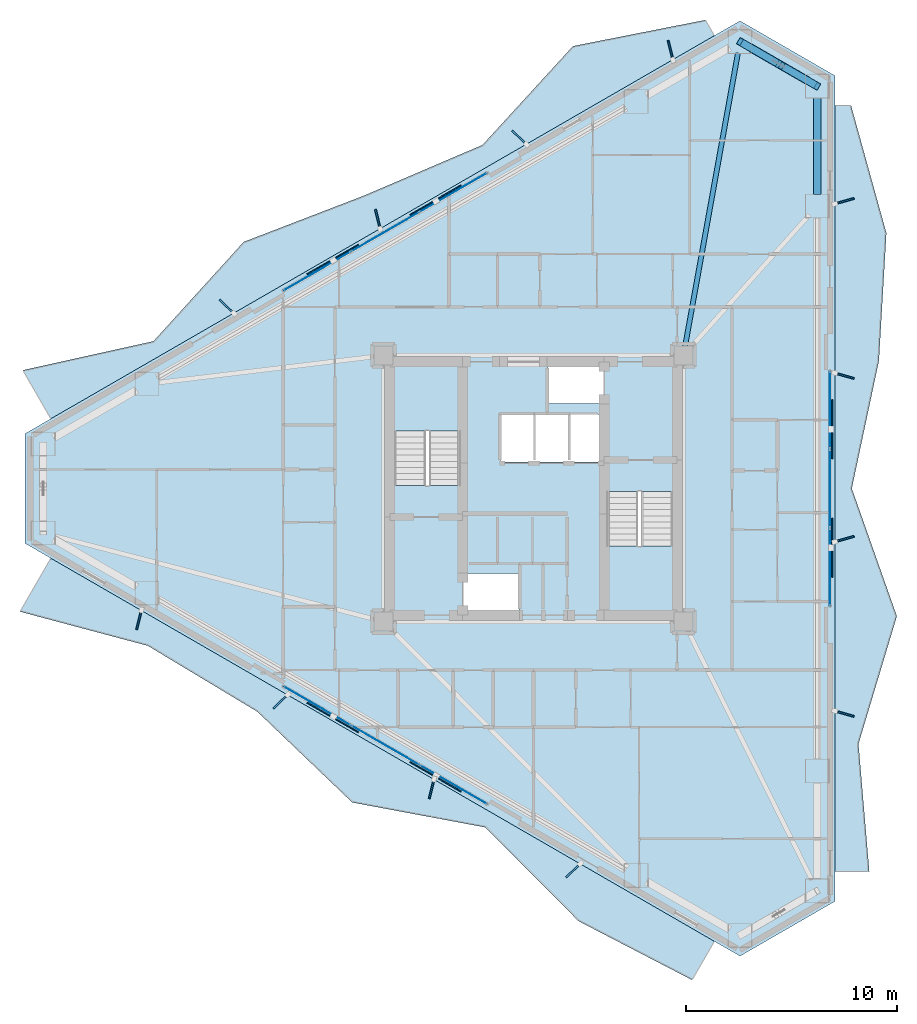
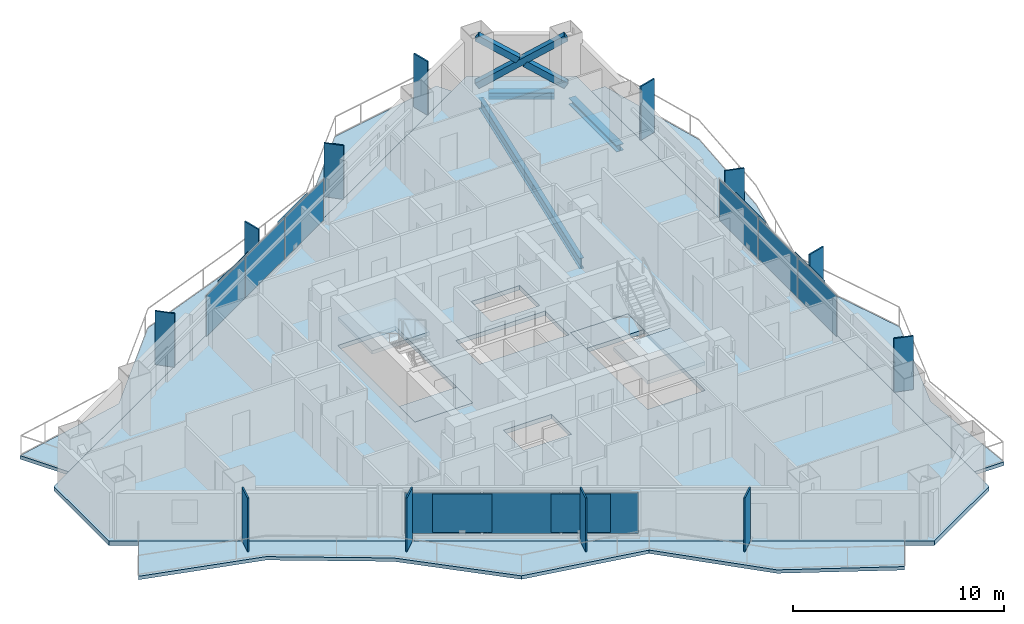
# One storey, part 14 of 23: 27 plates, 8 slabs, 3 beams, 3 members, 5 elements without a shape of their own.
"""IFC4 building model written with IfcOpenShell, lengths in metres."""

from ifc_helpers import new_model, si_unit, direction, frame, origin, origin_2d, place, context, subcontext, project, spatial, polyline, rectangle, hollow_rectangle, i_section, outline, extrude, material, layer, layer_set, material_profile, profile_set, type_object, element, aggregate, save


model = new_model("IFC4")

# Units and contexts
model_context = context("Model", 3, precision=1e-05, world=origin(), true_north=direction((0.0, 1.0)))
body_context = subcontext(model_context, "Body", "Model", "MODEL_VIEW")
ifc_project = project(units=[si_unit("LENGTHUNIT", "METRE"), si_unit("AREAUNIT", "SQUARE_METRE"), si_unit("VOLUMEUNIT", "CUBIC_METRE"), si_unit("PLANEANGLEUNIT", "RADIAN"), si_unit("MASSUNIT", "GRAM", prefix="KILO")], contexts=[model_context])

# Site, building, storey
site_placement = place(None, origin())
site = spatial("IfcSite", under=ifc_project, at=site_placement, CompositionType="ELEMENT")
building_placement = place(site_placement, origin())
building = spatial("IfcBuilding", under=site, at=building_placement, Name="Mersakhor Tower and Convention Hall", CompositionType="ELEMENT")
storey_placement = place(building_placement, frame((0.0, 0.0, 73.5)))
storey = spatial("IfcBuildingStorey", under=building, at=storey_placement, Name="L19", CompositionType="ELEMENT", Elevation=73.5)

# Beams
ifc_material_1 = material(Name="Steel S355", Category="steel")
ifc_material_profile_1 = material_profile(ifc_material_1, i_section(OverallWidth=0.22900390625, OverallDepth=0.6123046875, WebThickness=0.011962890625, FlangeThickness=0.01953125, at=origin_2d()), Name="UB 610x229x125")
ifc_profile_set_1 = profile_set([ifc_material_profile_1], Name="Steel S355")
beam_type_1 = type_object("IfcBeamType", Name="BM-PR-610", PredefinedType="BEAM", material=ifc_profile_set_1)
beam_1_placement = place(storey_placement, frame((36.17626953125, 33.47314453125, -0.55615234375), z_axis=(0.177414716723, 0.984136178732, 0.0), x_axis=(-0.984136178732, 0.177414716723, 0.0)))
element("IfcBeam", 1, at=beam_1_placement, inside=storey, type_object=beam_type_1, Name="L19 Primary Floor Girder FG-2", PredefinedType="BEAM", context=body_context, shape_type="SweptSolid", body=[
    extrude(i_section(OverallWidth=0.22900390625, OverallDepth=0.6123046875, WebThickness=0.011962890625, FlangeThickness=0.01953125, at=origin_2d()), origin(), (0.0, 0.0, 1.0), 14.11328125),
])
ifc_material_2 = material(Name="Steel S355", Category="steel")
ifc_material_profile_2 = material_profile(ifc_material_2, i_section(OverallWidth=0.374755859375, OverallDepth=0.37451171875, WebThickness=0.0166015625, FlangeThickness=0.027099609375, at=origin_2d()), Name="UC 356x368x202")
ifc_profile_set_2 = profile_set([ifc_material_profile_2], Name="Steel S355")
beam_type_2 = type_object("IfcBeamType", Name="BM-SPD-UC356", PredefinedType="SPANDREL", material=ifc_profile_set_2)
beam_2_placement = place(storey_placement, frame((39.25927734375, 47.631103515625, -0.437255859375), z_axis=(0.866052319632, -0.499953377486, 0.0), x_axis=(0.499953377486, 0.866052319632, 0.0)))
element("IfcBeam", 2, at=beam_2_placement, inside=storey, type_object=beam_type_2, Name="L19 Perimeter Spandrel Beam SPB-04", PredefinedType="SPANDREL", context=body_context, shape_type="SweptSolid", body=[
    extrude(i_section(OverallWidth=0.374755859375, OverallDepth=0.37451171875, WebThickness=0.0166015625, FlangeThickness=0.027099609375, at=origin_2d()), origin(), (0.0, 0.0, 1.0), 3.111572265625),
])
beam_3_placement = place(storey_placement, frame((42.4345703125, 45.242919921875, -0.437255859375), z_axis=(0.0, -1.0, 0.0), x_axis=(1.0, 0.0, 0.0)))
element("IfcBeam", 3, at=beam_3_placement, inside=storey, type_object=beam_type_2, Name="L19 Perimeter Spandrel Beam SPB-05", PredefinedType="SPANDREL", context=body_context, shape_type="SweptSolid", body=[
    extrude(i_section(OverallWidth=0.374755859375, OverallDepth=0.37451171875, WebThickness=0.0166015625, FlangeThickness=0.027099609375, at=origin_2d()), origin(), (0.0, 0.0, 1.0), 4.566162109375),
])

# Members
ifc_material_3 = material(Name="Steel S460", Category="steel")
ifc_material_profile_3 = material_profile(ifc_material_3, hollow_rectangle(XDim=0.35009765625, YDim=0.35009765625, WallThickness=0.02001953125, at=origin_2d()), Name="SHS 350x350x20")
ifc_profile_set_3 = profile_set([ifc_material_profile_3], Name="Steel S460")
member_type = type_object("IfcMemberType", Name="MB-BRC-SHS350", PredefinedType="BRACE", material=ifc_profile_set_3)
member_1_placement = place(storey_placement, frame((38.77880859375, 47.90869140625, 0.14990234375), z_axis=(0.725633725484, -0.418933054415, 0.545848689986), x_axis=(0.49998946241, 0.866031487579, 0.0)))
element("IfcMember", 4, at=member_1_placement, inside=storey, type_object=member_type, Name="L19 Chamfer Braced Frame Diagonal CB-1A", PredefinedType="BRACE", context=body_context, shape_type="SweptSolid", body=[
    extrude(hollow_rectangle(XDim=0.35009765625, YDim=0.35009765625, WallThickness=0.02001953125, at=origin_2d()), origin(), (0.0, 0.0, 1.0), 5.0380859375),
])
member_2_placement = place(storey_placement, frame((42.4345703125, 45.798095703125, 0.14990234375), z_axis=(-0.725643177862, 0.418862922102, 0.545889943955), x_axis=(-0.499921796684, -0.866070549782, 0.0)))
element("IfcMember", 5, at=member_2_placement, inside=storey, type_object=member_type, Name="L19 Chamfer Braced Frame Diagonal CB-1B Lower Half", PredefinedType="BRACE", context=body_context, shape_type="SweptSolid", body=[
    extrude(hollow_rectangle(XDim=0.35009765625, YDim=0.35009765625, WallThickness=0.02001953125, at=origin_2d()), origin(), (0.0, 0.0, 1.0), 2.31982421875),
])
member_3_placement = place(storey_placement, frame((40.4619140625, 46.93701171875, 1.6337890625), z_axis=(-0.725635037856, 0.418918980369, 0.545857746783), x_axis=(-0.499976186015, -0.866039152359, 0.0)))
element("IfcMember", 6, at=member_3_placement, inside=storey, type_object=member_type, Name="L19 Chamfer Braced Frame Diagonal CB-1B Upper Half", PredefinedType="BRACE", context=body_context, shape_type="SweptSolid", body=[
    extrude(hollow_rectangle(XDim=0.35009765625, YDim=0.35009765625, WallThickness=0.02001953125, at=origin_2d()), origin(), (0.0, 0.0, 1.0), 2.319580078125),
])

# Curtain wall, plates
ifc_material_4 = material(Name="Dark solar low-E aluminium curtain wall", Category="aluminium")
ifc_layer_1 = layer(ifc_material_4, 0.159912109375)
ifc_layer_set_1 = layer_set([ifc_layer_1], Name="Dark solar low-E aluminium curtain wall")
curtain_wall_type = type_object("IfcCurtainWallType", Name="CW-SYS-01", PredefinedType="USERDEFINED", material=ifc_layer_set_1)
curtain_wall_1_placement = place(storey_placement, origin())
curtain_wall_1 = element("IfcCurtainWall", 7, at=curtain_wall_1_placement, inside=storey, type_object=curtain_wall_type, Name="L19 Dark-Glass Curtain Wall F1-B2", ObjectType="CURTAIN WALL", PredefinedType="USERDEFINED")
ifc_material_5 = material(Name="Dark solar double glazing", Category="glass")
ifc_layer_2 = layer(ifc_material_5, 0.02392578125)
ifc_layer_set_2 = layer_set([ifc_layer_2], Name="Dark solar double glazing")
plate_type_1 = type_object("IfcPlateType", Name="CWP-GLZ-24", PredefinedType="CURTAIN_PANEL", material=ifc_layer_set_2)
plate_1_placement = place(storey_placement, frame((18.75732421875, 37.042236328125, 0.260009765625), z_axis=(0.0, 0.0, 1.0), x_axis=(0.866026613339, 0.499997904985, 0.0)))
plate_1 = element("IfcPlate", 8, at=plate_1_placement, type_object=plate_type_1, Name="CW-01 panel 1.1", PredefinedType="CURTAIN_PANEL", context=body_context, shape_type="SweptSolid", body=[
    extrude(rectangle(XDim=3.630615234375, YDim=0.02392578125, at=origin_2d()), origin(), (0.0, 0.0, 1.0), 2.35009765625),
])
plate_2_placement = place(storey_placement, frame((21.982666015625, 38.904296875, 0.260009765625), z_axis=(0.0, 0.0, 1.0), x_axis=(0.866026613339, 0.499997904985, 0.0)))
plate_2 = element("IfcPlate", 9, at=plate_2_placement, type_object=plate_type_1, Name="CW-01 panel 2.1", PredefinedType="CURTAIN_PANEL", context=body_context, shape_type="SweptSolid", body=[
    extrude(rectangle(XDim=3.668212890625, YDim=0.02392578125, at=origin_2d()), origin(), (0.0, 0.0, 1.0), 2.35009765625),
])
plate_3_placement = place(storey_placement, frame((25.2080078125, 40.7666015625, 0.260009765625), z_axis=(0.0, 0.0, 1.0), x_axis=(0.866026613339, 0.499997904985, 0.0)))
plate_3 = element("IfcPlate", 10, at=plate_3_placement, type_object=plate_type_1, Name="CW-01 panel 3.1", PredefinedType="CURTAIN_PANEL", context=body_context, shape_type="SweptSolid", body=[
    extrude(rectangle(XDim=3.630615234375, YDim=0.02392578125, at=origin_2d()), origin(), (0.0, 0.0, 1.0), 2.35009765625),
])
aggregate(curtain_wall_1, [plate_1, plate_2, plate_3])

curtain_wall_2_placement = place(storey_placement, origin())
curtain_wall_2 = element("IfcCurtainWall", 11, at=curtain_wall_2_placement, inside=storey, type_object=curtain_wall_type, Name="L19 Dark-Glass Curtain Wall F2-B2", ObjectType="CURTAIN WALL", PredefinedType="USERDEFINED")
plate_4_placement = place(storey_placement, frame((43.03466796875, 30.474365234375, 0.260009765625), z_axis=(0.0, 0.0, 1.0), x_axis=(0.0, -1.0, 0.0)))
plate_4 = element("IfcPlate", 12, at=plate_4_placement, type_object=plate_type_1, Name="CW-01 panel 1.1", PredefinedType="CURTAIN_PANEL", context=body_context, shape_type="SweptSolid", body=[
    extrude(rectangle(XDim=3.630615234375, YDim=0.02392578125, at=origin_2d()), origin(), (0.0, 0.0, 1.0), 2.35009765625),
])
plate_5_placement = place(storey_placement, frame((43.03466796875, 26.75, 0.260009765625), z_axis=(0.0, 0.0, 1.0), x_axis=(0.0, -1.0, 0.0)))
plate_5 = element("IfcPlate", 13, at=plate_5_placement, type_object=plate_type_1, Name="CW-01 panel 2.1", PredefinedType="CURTAIN_PANEL", context=body_context, shape_type="SweptSolid", body=[
    extrude(rectangle(XDim=3.668212890625, YDim=0.02392578125, at=origin_2d()), origin(), (0.0, 0.0, 1.0), 2.35009765625),
])
plate_6_placement = place(storey_placement, frame((43.03466796875, 23.025634765625, 0.260009765625), z_axis=(0.0, 0.0, 1.0), x_axis=(0.0, -1.0, 0.0)))
plate_6 = element("IfcPlate", 14, at=plate_6_placement, type_object=plate_type_1, Name="CW-01 panel 3.1", PredefinedType="CURTAIN_PANEL", context=body_context, shape_type="SweptSolid", body=[
    extrude(rectangle(XDim=3.630615234375, YDim=0.02392578125, at=origin_2d()), origin(), (0.0, 0.0, 1.0), 2.35009765625),
])
aggregate(curtain_wall_2, [plate_4, plate_5, plate_6])

curtain_wall_3_placement = place(storey_placement, origin())
curtain_wall_3 = element("IfcCurtainWall", 15, at=curtain_wall_3_placement, inside=storey, type_object=curtain_wall_type, Name="L19 Dark-Glass Curtain Wall F3-B2", ObjectType="CURTAIN WALL", PredefinedType="USERDEFINED")
plate_7_placement = place(storey_placement, frame((25.2080078125, 12.7333984375, 0.260009765625), z_axis=(0.0, 0.0, 1.0), x_axis=(-0.866026613339, 0.499997904985, 0.0)))
plate_7 = element("IfcPlate", 16, at=plate_7_placement, type_object=plate_type_1, Name="CW-01 panel 1.1", PredefinedType="CURTAIN_PANEL", context=body_context, shape_type="SweptSolid", body=[
    extrude(rectangle(XDim=3.630615234375, YDim=0.02392578125, at=origin_2d()), origin(), (0.0, 0.0, 1.0), 2.35009765625),
])
plate_8_placement = place(storey_placement, frame((21.982666015625, 14.595703125, 0.260009765625), z_axis=(0.0, 0.0, 1.0), x_axis=(-0.866026613339, 0.499997904985, 0.0)))
plate_8 = element("IfcPlate", 17, at=plate_8_placement, type_object=plate_type_1, Name="CW-01 panel 2.1", PredefinedType="CURTAIN_PANEL", context=body_context, shape_type="SweptSolid", body=[
    extrude(rectangle(XDim=3.668212890625, YDim=0.02392578125, at=origin_2d()), origin(), (0.0, 0.0, 1.0), 2.35009765625),
])
plate_9_placement = place(storey_placement, frame((18.75732421875, 16.457763671875, 0.260009765625), z_axis=(0.0, 0.0, 1.0), x_axis=(-0.866026613339, 0.499997904985, 0.0)))
plate_9 = element("IfcPlate", 18, at=plate_9_placement, type_object=plate_type_1, Name="CW-01 panel 3.1", PredefinedType="CURTAIN_PANEL", context=body_context, shape_type="SweptSolid", body=[
    extrude(rectangle(XDim=3.630615234375, YDim=0.02392578125, at=origin_2d()), origin(), (0.0, 0.0, 1.0), 2.35009765625),
])
aggregate(curtain_wall_3, [plate_7, plate_8, plate_9])

# Plates
ifc_material_6 = material(Name="Ceramic-clad aluminium Zone 2 emerald-teal", Category="aluminium")
ifc_material_7 = material(Name="Ceramic-clad aluminium Zone 1 cobalt-slate", Category="masonry")
ifc_layer_3 = layer(ifc_material_7, 0.080078125)
ifc_layer_set_3 = layer_set([ifc_layer_3], Name="Ceramic-clad aluminium Zone 1 cobalt-slate")
plate_type_2 = type_object("IfcPlateType", Name="PL-FIN-80", PredefinedType="USERDEFINED", material=ifc_layer_set_3)
for number, where, z_axis, x_axis, name in (
    (19, (14.477783203125, 35.364013671875, 0.0), (0.0, 0.0, 1.0), (-0.719339800339, 0.694658370459, 0.0), "L19 Zone 2 Coloured Brise-Soleil Fin F1-1"),
    (20, (21.6328125, 39.4951171875, 0.0), (0.0, 0.0, 1.0), (-0.2419218956, 0.970295726276, 0.0), "L19 Zone 2 Coloured Brise-Soleil Fin F1-2"),
    (21, (28.333984375, 43.364013671875, 0.0), (0.0, 0.0, 1.0), (-0.719339800339, 0.694658370459, 0.0), "L19 Zone 2 Coloured Brise-Soleil Fin F1-3"),
    (22, (35.489013671875, 47.4951171875, 0.0), (0.0, 0.0, 1.0), (-0.2419218956, 0.970295726276, 0.0), "L19 Zone 2 Coloured Brise-Soleil Fin F1-4"),
    (23, (43.72119140625, 40.35302734375, 0.0), (0.0, 0.0, 1.0), (0.961261695938, 0.275637355817, 0.0), "L19 Zone 2 Coloured Brise-Soleil Fin F2-1"),
    (24, (43.72119140625, 32.091064453125, 0.0), (0.0, 0.0, 1.0), (0.961261695938, -0.275637355817, 0.0), "L19 Zone 2 Coloured Brise-Soleil Fin F2-2"),
    (25, (43.72119140625, 24.35302734375, 0.0), (0.0, 0.0, 1.0), (0.961261695938, 0.275637355817, 0.0), "L19 Zone 2 Coloured Brise-Soleil Fin F2-3"),
    (26, (43.72119140625, 16.091064453125, 0.0), (0.0, 0.0, 1.0), (0.961261695938, -0.275637355817, 0.0), "L19 Zone 2 Coloured Brise-Soleil Fin F2-4"),
    (27, (30.8837890625, 8.663818359375, 0.0), (0.0, 0.0, 1.0), (-0.719339800339, -0.694658370459, 0.0), "L19 Zone 2 Coloured Brise-Soleil Fin F3-1"),
    (28, (24.182373046875, 12.532958984375, 0.0), (0.0, 0.0, 1.0), (-0.2419218956, -0.970295726276, 0.0), "L19 Zone 2 Coloured Brise-Soleil Fin F3-2"),
    (29, (17.02734375, 16.663818359375, 0.0), (0.0, 0.0, 1.0), (-0.719339800339, -0.694658370459, 0.0), "L19 Zone 2 Coloured Brise-Soleil Fin F3-3"),
    (30, (10.325927734375, 20.532958984375, 0.0), (0.0, 0.0, 1.0), (-0.2419218956, -0.970295726276, 0.0), "L19 Zone 2 Coloured Brise-Soleil Fin F3-4"),
):
    element("IfcPlate", number, at=place(storey_placement, frame(where, z_axis=z_axis, x_axis=x_axis)), inside=storey, type_object=plate_type_2, material=ifc_material_6, Name=name, ObjectType="FIN", PredefinedType="USERDEFINED", context=body_context, shape_type="SweptSolid", body=[
        extrude(rectangle(XDim=0.949951171875, YDim=0.080078125, at=origin_2d()), origin(), (0.0, 0.0, 1.0), 3.10009765625),
    ])
ifc_material_8 = material(Name="Perforated ceramic cobogo solar screen", Category="aluminium")
ifc_layer_4 = layer(ifc_material_8, 0.055908203125)
ifc_layer_set_4 = layer_set([ifc_layer_4], Name="Perforated ceramic cobogo solar screen")
plate_type_3 = type_object("IfcPlateType", Name="PL-SCR-56", PredefinedType="USERDEFINED", material=ifc_layer_set_4)
for number, where, z_axis, x_axis, name in (
    (31, (19.50244140625, 37.58544921875, 0.39990234375), (0.0, 0.0, 1.0), (0.866025403784, 0.5, 0.0), "L19 Perforated Ceramic Solar Screen F1-1"),
    (32, (24.364990234375, 40.392822265625, 0.39990234375), (0.0, 0.0, 1.0), (0.866025403784, 0.5, 0.0), "L19 Perforated Ceramic Solar Screen F1-2"),
    (33, (43.132568359375, 29.557373046875, 0.39990234375), (0.0, 0.0, 1.0), (0.0, -1.0, 0.0), "L19 Perforated Ceramic Solar Screen F2-1"),
    (34, (43.132568359375, 23.942626953125, 0.39990234375), (0.0, 0.0, 1.0), (0.0, -1.0, 0.0), "L19 Perforated Ceramic Solar Screen F2-2"),
    (35, (24.364990234375, 13.107177734375, 0.39990234375), (0.0, 0.0, 1.0), (-0.866025403784, 0.5, 0.0), "L19 Perforated Ceramic Solar Screen F3-1"),
    (36, (19.50244140625, 15.91455078125, 0.39990234375), (0.0, 0.0, 1.0), (-0.866025403784, 0.5, 0.0), "L19 Perforated Ceramic Solar Screen F3-2"),
):
    element("IfcPlate", number, at=place(storey_placement, frame(where, z_axis=z_axis, x_axis=x_axis)), inside=storey, type_object=plate_type_3, Name=name, ObjectType="SCREEN", PredefinedType="USERDEFINED", context=body_context, shape_type="SweptSolid", body=[
        extrude(rectangle(XDim=2.800048828125, YDim=0.055908203125, at=origin_2d()), origin(), (0.0, 0.0, 1.0), 2.219970703125),
    ])

# Slabs
ifc_material_9 = material(Name="Concrete C45/55", Category="concrete")
ifc_layer_5 = layer(ifc_material_9, 0.199951171875)
ifc_layer_set_5 = layer_set([ifc_layer_5], Name="Concrete C45/55")
slab_type_1 = type_object("IfcSlabType", Name="SL-BAL-200", PredefinedType="FLOOR", material=ifc_layer_set_5)
slab_1_placement = place(storey_placement, frame((0.0, 0.0, -0.199951171875)))
element("IfcSlab", 37, at=slab_1_placement, inside=storey, type_object=slab_type_1, Name="L19 Sinusoidal Balcony Slab Face 1", PredefinedType="FLOOR", context=body_context, shape_type="SweptSolid", body=[
    extrude(outline(polyline([(6.149169921875, 30.051513671875), (37.56640625, 48.190185546875), (37.137939453125, 48.931884765625), (30.8701171875, 47.69580078125), (26.589599609375, 43.017578125), (20.990478515625, 40.62255859375), (15.278564453125, 38.424072265625), (11.01025390625, 33.72412109375), (4.8212890625, 32.351318359375), (6.149169921875, 30.051513671875)])), origin(), (0.0, 0.0, 1.0), 0.199951171875),
])
slab_2_placement = place(storey_placement, frame((0.0, 0.0, -0.199951171875)))
element("IfcSlab", 38, at=slab_2_placement, inside=storey, type_object=slab_type_1, Name="L19 Sinusoidal Balcony Slab Face 2", PredefinedType="FLOOR", context=body_context, shape_type="SweptSolid", body=[
    extrude(outline(polyline([(43.28466796875, 44.888671875), (43.28466796875, 8.611328125), (44.900390625, 8.611328125), (44.38720703125, 14.657470703125), (46.20458984375, 20.703857421875), (44.0712890625, 26.75), (45.35498046875, 32.796142578125), (45.70849609375, 38.842529296875), (44.03466796875, 44.888671875), (43.28466796875, 44.888671875)])), origin(), (0.0, 0.0, 1.0), 0.199951171875),
])
slab_3_placement = place(storey_placement, frame((0.0, 0.0, -0.199951171875)))
element("IfcSlab", 39, at=slab_3_placement, inside=storey, type_object=slab_type_1, Name="L19 Sinusoidal Balcony Slab Face 3", PredefinedType="FLOOR", context=body_context, shape_type="SweptSolid", body=[
    extrude(outline(polyline([(37.56640625, 5.309814453125), (6.149169921875, 23.448486328125), (4.689208984375, 20.919677734375), (10.739013671875, 19.305908203125), (15.920166015625, 16.187255859375), (20.41796875, 11.885498046875), (26.718994140625, 10.70654296875), (31.13720703125, 6.2666015625), (36.509765625, 3.479736328125), (37.56640625, 5.309814453125)])), origin(), (0.0, 0.0, 1.0), 0.199951171875),
])
ifc_material_10 = material(Name="Concrete C40/50", Category="concrete")
ifc_layer_6 = layer(ifc_material_10, 0.25)
ifc_layer_set_6 = layer_set([ifc_layer_6], Name="Concrete C40/50")
slab_type_2 = type_object("IfcSlabType", Name="SL-FLR-250", PredefinedType="FLOOR", material=ifc_layer_set_6)
slab_4_placement = place(storey_placement, frame((0.0, 0.0, -0.25)))
element("IfcSlab", 40, at=slab_4_placement, inside=storey, type_object=slab_type_2, Name="L19 ST-1 Structural Stair Floor Landing", PredefinedType="LANDING", context=body_context, shape_type="SweptSolid", body=[
    extrude(outline(polyline([(25.550048828125, 25.39990234375), (25.550048828125, 26.89990234375), (22.39990234375, 26.89990234375), (22.39990234375, 25.39990234375), (25.550048828125, 25.39990234375)])), origin(), (0.0, 0.0, 1.0), 0.25),
])
slab_5_placement = place(storey_placement, frame((0.0, 0.0, -0.25)))
element("IfcSlab", 41, at=slab_5_placement, inside=storey, type_object=slab_type_2, Name="L19 ST-2 Structural Stair Floor Landing", PredefinedType="LANDING", context=body_context, shape_type="SweptSolid", body=[
    extrude(outline(polyline([(32.449951171875, 28.10009765625), (32.449951171875, 26.60009765625), (35.60009765625, 26.60009765625), (35.60009765625, 28.10009765625), (32.449951171875, 28.10009765625)])), origin(), (0.0, 0.0, 1.0), 0.25),
])
slab_6_placement = place(storey_placement, frame((0.0, 0.0, -0.25)))
element("IfcSlab", 42, at=slab_6_placement, inside=storey, type_object=slab_type_2, Name="Tower L19 Structural Floor Slab", PredefinedType="FLOOR", context=body_context, shape_type="SweptSolid", body=[
    extrude(outline(polyline([(4.936767578125, 29.3515625), (38.77880859375, 48.89013671875), (43.28466796875, 46.288818359375), (43.28466796875, 7.211181640625), (38.77880859375, 4.60986328125), (4.936767578125, 24.1484375), (4.936767578125, 29.3515625)]), holes=[polyline([(25.550048828125, 25.39990234375), (25.550048828125, 32.699951171875), (22.39990234375, 32.699951171875), (22.39990234375, 25.39990234375), (25.550048828125, 25.39990234375)]), polyline([(32.449951171875, 28.10009765625), (32.449951171875, 20.800048828125), (35.60009765625, 20.800048828125), (35.60009765625, 28.10009765625), (32.449951171875, 28.10009765625)]), polyline([(25.679931640625, 20.820068359375), (25.679931640625, 22.719970703125), (28.320068359375, 22.719970703125), (28.320068359375, 20.820068359375), (25.679931640625, 20.820068359375)]), polyline([(29.679931640625, 30.780029296875), (29.679931640625, 32.679931640625), (32.320068359375, 32.679931640625), (32.320068359375, 30.780029296875), (29.679931640625, 30.780029296875)]), polyline([(27.429931640625, 28.0), (27.429931640625, 30.25), (32.320068359375, 30.25), (32.320068359375, 28.0), (27.429931640625, 28.0)])]), origin(), (0.0, 0.0, 1.0), 0.25),
])

# Stair, slab
ifc_material_11 = material(Name="Concrete C45/55", Category="concrete")
stair_type = type_object("IfcStairType", Name="ST-TWR-20R", PredefinedType="HALF_TURN_STAIR", material=ifc_material_11)
stair_1_placement = place(storey_placement, origin())
stair_1 = element("IfcStair", 43, at=stair_1_placement, inside=storey, type_object=stair_type, Name="L19 Tower Protected Exit Stair ST-1", PredefinedType="HALF_TURN_STAIR")
ifc_material_12 = material(Name="Concrete C45/55", Category="concrete")
ifc_layer_7 = layer(ifc_material_12, 0.199951171875)
ifc_layer_set_7 = layer_set([ifc_layer_7], Name="Concrete C45/55")
slab_type_3 = type_object("IfcSlabType", Name="SL-LAND-200", PredefinedType="LANDING", material=ifc_layer_set_7)
slab_7_placement = place(storey_placement, frame((0.0, 0.0, 1.449951171875)))
slab_7 = element("IfcSlab", 44, at=slab_7_placement, type_object=slab_type_3, Name="ST-1 landing 1", PredefinedType="LANDING", context=body_context, shape_type="SweptSolid", body=[
    extrude(outline(polyline([(25.550048828125, 29.465087890625), (25.550048828125, 32.699951171875), (22.39990234375, 32.699951171875), (22.39990234375, 29.465087890625), (25.550048828125, 29.465087890625)])), origin(), (0.0, 0.0, 1.0), 0.199951171875),
])
aggregate(stair_1, [slab_7])

stair_2_placement = place(storey_placement, origin())
stair_2 = element("IfcStair", 45, at=stair_2_placement, inside=storey, type_object=stair_type, Name="L19 Tower Protected Exit Stair ST-2", PredefinedType="HALF_TURN_STAIR")
slab_8_placement = place(storey_placement, frame((0.0, 0.0, 1.449951171875)))
slab_8 = element("IfcSlab", 46, at=slab_8_placement, type_object=slab_type_3, Name="ST-2 landing 1", PredefinedType="LANDING", context=body_context, shape_type="SweptSolid", body=[
    extrude(outline(polyline([(32.449951171875, 24.034912109375), (32.449951171875, 20.800048828125), (35.60009765625, 20.800048828125), (35.60009765625, 24.034912109375), (32.449951171875, 24.034912109375)])), origin(), (0.0, 0.0, 1.0), 0.199951171875),
])
aggregate(stair_2, [slab_8])

save(model, "model.ifc")
